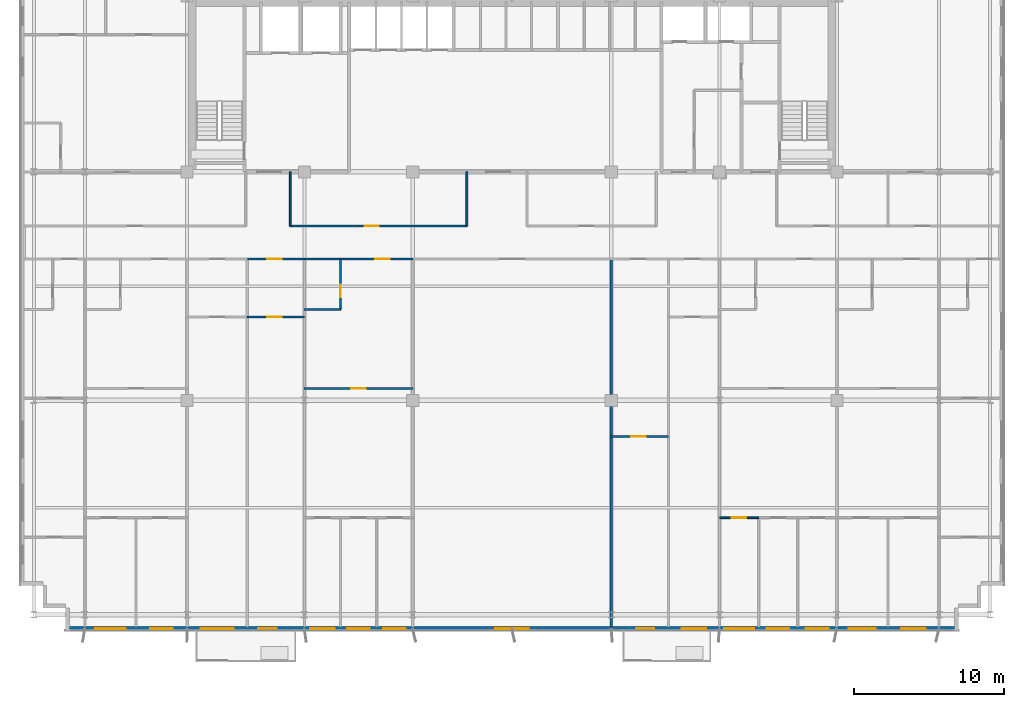
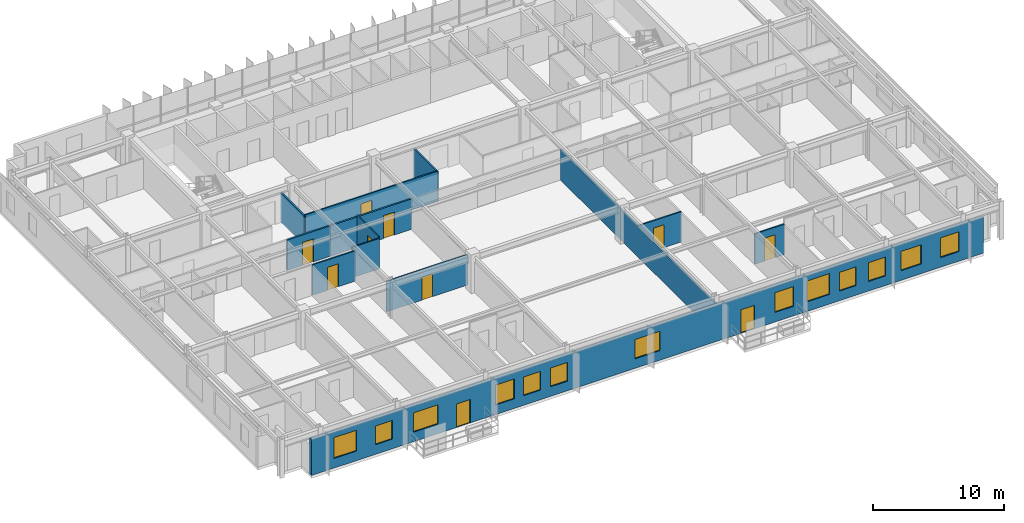
# One storey, part 15 of 22: 13 walls, 13 windows, 10 doors, 23 openings.
"""IFC4 building model written with IfcOpenShell, lengths in metres."""

from ifc_helpers import new_model, si_unit, direction, frame, frame_2d, origin, place, context, subcontext, project, spatial, rectangle, extrude, source, transform, mapped, material, layer, layer_set, type_object, element, fill, save


model = new_model("IFC4")

# Units and contexts
model_context = context("Model", 3, precision=1e-05, world=origin(), true_north=direction((0.0, 1.0)))
body_context = subcontext(model_context, "Body", "Model", "MODEL_VIEW")
ifc_project = project(units=[si_unit("LENGTHUNIT", "METRE"), si_unit("AREAUNIT", "SQUARE_METRE"), si_unit("VOLUMEUNIT", "CUBIC_METRE"), si_unit("PLANEANGLEUNIT", "RADIAN"), si_unit("MASSUNIT", "GRAM", prefix="KILO")], contexts=[model_context])

# Site, building, storey
site_placement = place(None, origin())
site = spatial("IfcSite", under=ifc_project, at=site_placement, CompositionType="ELEMENT")
building_placement = place(site_placement, origin())
building = spatial("IfcBuilding", under=site, at=building_placement, Name="Trelvane Seafront Commons", CompositionType="ELEMENT")
storey_placement = place(building_placement, frame((0.0, 0.0, 92.5)))
storey = spatial("IfcBuildingStorey", under=building, at=storey_placement, Name="L23", CompositionType="ELEMENT", Elevation=92.5)

# Wall, openings, doors, windows
ifc_material_1 = material(Name="Precast concrete C40/50", Category="concrete")
ifc_layer_1 = layer(ifc_material_1, 0.260009765625, Name="ARCH-WALL-EXT260")
ifc_layer_set_1 = layer_set([ifc_layer_1], Name="Precast concrete C40/50")
wall_type_1 = type_object("IfcWallType", Name="ARCH-WALL-EXT260", PredefinedType="SOLIDWALL", material=ifc_layer_set_1)
wall_1_placement = place(storey_placement, frame((66.89990234375, 3.030029296875, 0.0), z_axis=(0.0, 0.0, 1.0), x_axis=(-1.0, 0.0, 0.0)))
wall_1 = element("IfcWall", 1, at=wall_1_placement, inside=storey, type_object=wall_type_1, Name="EW-L23-00431", PredefinedType="SOLIDWALL", context=body_context, shape_type="SweptSolid", body=[
    extrude(rectangle(XDim=59.39990234375, YDim=0.260009765625, at=frame_2d((29.699951171875, 0.0))), origin(), (0.0, 0.0, 1.0), 3.340087890625),
])
opening_1_placement = place(wall_1_placement, frame((2.175048828125, 0.0, 0.89990234375)))
opening_1 = element("IfcOpeningElement", 2, at=opening_1_placement, cuts=wall_1, Name="Opening W07", PredefinedType="OPENING", context=body_context, shape_type="SweptSolid", body=[
    extrude(rectangle(XDim=1.64990234375, YDim=1.85009765625, at=frame_2d((0.824951171875, 0.925048828125))), frame((0.0, 0.139892578125, 0.0), z_axis=(0.0, -1.0, 0.0), x_axis=(1.0, 0.0, 0.0)), (0.0, 0.0, 1.0), 0.280029296875),
])
opening_2_placement = place(wall_1_placement, frame((5.5, 0.0, 0.89990234375)))
opening_2 = element("IfcOpeningElement", 3, at=opening_2_placement, cuts=wall_1, Name="Opening W01", PredefinedType="OPENING", context=body_context, shape_type="SweptSolid", body=[
    extrude(rectangle(XDim=1.800048828125, YDim=1.800048828125, at=frame_2d((0.89990234375, 0.89990234375))), frame((0.0, 0.139892578125, 0.0), z_axis=(0.0, -1.0, 0.0), x_axis=(1.0, 0.0, 0.0)), (0.0, 0.0, 1.0), 0.280029296875),
])
opening_3_placement = place(wall_1_placement, frame((8.64990234375, 0.0, 0.89990234375)))
opening_3 = element("IfcOpeningElement", 4, at=opening_3_placement, cuts=wall_1, Name="Opening W03", PredefinedType="OPENING", context=body_context, shape_type="SweptSolid", body=[
    extrude(rectangle(XDim=1.5, YDim=1.75, at=frame_2d((0.75, 0.875))), frame((0.0, 0.139892578125, 0.0), z_axis=(0.0, -1.0, 0.0), x_axis=(1.0, 0.0, 0.0)), (0.0, 0.0, 1.0), 0.280029296875),
])
opening_4_placement = place(wall_1_placement, frame((11.25, 0.0, 0.89990234375)))
opening_4 = element("IfcOpeningElement", 5, at=opening_4_placement, cuts=wall_1, Name="Opening W03", PredefinedType="OPENING", context=body_context, shape_type="SweptSolid", body=[
    extrude(rectangle(XDim=1.5, YDim=1.75, at=frame_2d((0.75, 0.875))), frame((0.0, 0.139892578125, 0.0), z_axis=(0.0, -1.0, 0.0), x_axis=(1.0, 0.0, 0.0)), (0.0, 0.0, 1.0), 0.280029296875),
])
opening_5_placement = place(wall_1_placement, frame((13.60009765625, 0.0, 0.89990234375)))
opening_5 = element("IfcOpeningElement", 6, at=opening_5_placement, cuts=wall_1, Name="Opening W06", PredefinedType="OPENING", context=body_context, shape_type="SweptSolid", body=[
    extrude(rectangle(XDim=2.0, YDim=1.949951171875, at=frame_2d((1.0, 0.97509765625))), frame((0.0, 0.139892578125, 0.0), z_axis=(0.0, -1.0, 0.0), x_axis=(1.0, 0.0, 0.0)), (0.0, 0.0, 1.0), 0.280029296875),
])
opening_6_placement = place(wall_1_placement, frame((16.77490234375, 0.0, 0.89990234375)))
opening_6 = element("IfcOpeningElement", 7, at=opening_6_placement, cuts=wall_1, Name="Opening W07", PredefinedType="OPENING", context=body_context, shape_type="SweptSolid", body=[
    extrude(rectangle(XDim=1.64990234375, YDim=1.85009765625, at=frame_2d((0.824951171875, 0.925048828125))), frame((0.0, 0.139892578125, 0.0), z_axis=(0.0, -1.0, 0.0), x_axis=(1.0, 0.0, 0.0)), (0.0, 0.0, 1.0), 0.280029296875),
])
opening_7_placement = place(wall_1_placement, frame((20.22705078125, 0.0, 0.0)))
opening_7 = element("IfcOpeningElement", 8, at=opening_7_placement, cuts=wall_1, Name="Opening BD-L23-55", PredefinedType="OPENING", context=body_context, shape_type="SweptSolid", body=[
    extrude(rectangle(XDim=1.199951171875, YDim=2.199951171875, at=frame_2d((0.60009765625, 1.10009765625))), frame((0.0, 0.139892578125, 0.0), z_axis=(0.0, -1.0, 0.0), x_axis=(1.0, 0.0, 0.0)), (0.0, 0.0, 1.0), 0.280029296875),
])
opening_8_placement = place(wall_1_placement, frame((28.60009765625, 0.0, 0.89990234375)))
opening_8 = element("IfcOpeningElement", 9, at=opening_8_placement, cuts=wall_1, Name="Opening W02", PredefinedType="OPENING", context=body_context, shape_type="SweptSolid", body=[
    extrude(rectangle(XDim=2.199951171875, YDim=1.800048828125, at=frame_2d((1.10009765625, 0.89990234375))), frame((0.0, 0.139892578125, 0.0), z_axis=(0.0, -1.0, 0.0), x_axis=(1.0, 0.0, 0.0)), (0.0, 0.0, 1.0), 0.280029296875),
])
opening_9_placement = place(wall_1_placement, frame((36.75, 0.0, 0.89990234375)))
opening_9 = element("IfcOpeningElement", 10, at=opening_9_placement, cuts=wall_1, Name="Opening W03", PredefinedType="OPENING", context=body_context, shape_type="SweptSolid", body=[
    extrude(rectangle(XDim=1.5, YDim=1.75, at=frame_2d((0.75, 0.875))), frame((0.0, 0.139892578125, 0.0), z_axis=(0.0, -1.0, 0.0), x_axis=(1.0, 0.0, 0.0)), (0.0, 0.0, 1.0), 0.280029296875),
])
opening_10_placement = place(wall_1_placement, frame((39.14990234375, 0.0, 0.89990234375)))
opening_10 = element("IfcOpeningElement", 11, at=opening_10_placement, cuts=wall_1, Name="Opening W03", PredefinedType="OPENING", context=body_context, shape_type="SweptSolid", body=[
    extrude(rectangle(XDim=1.5, YDim=1.75, at=frame_2d((0.75, 0.875))), frame((0.0, 0.139892578125, 0.0), z_axis=(0.0, -1.0, 0.0), x_axis=(1.0, 0.0, 0.0)), (0.0, 0.0, 1.0), 0.280029296875),
])
opening_11_placement = place(wall_1_placement, frame((41.47509765625, 0.0, 0.89990234375)))
opening_11 = element("IfcOpeningElement", 12, at=opening_11_placement, cuts=wall_1, Name="Opening W07", PredefinedType="OPENING", context=body_context, shape_type="SweptSolid", body=[
    extrude(rectangle(XDim=1.64990234375, YDim=1.85009765625, at=frame_2d((0.824951171875, 0.925048828125))), frame((0.0, 0.139892578125, 0.0), z_axis=(0.0, -1.0, 0.0), x_axis=(1.0, 0.0, 0.0)), (0.0, 0.0, 1.0), 0.280029296875),
])
opening_12_placement = place(wall_1_placement, frame((45.360107421875, 0.0, 0.0)))
opening_12 = element("IfcOpeningElement", 13, at=opening_12_placement, cuts=wall_1, Name="Opening BD-L23-56", PredefinedType="OPENING", context=body_context, shape_type="SweptSolid", body=[
    extrude(rectangle(XDim=1.199951171875, YDim=2.199951171875, at=frame_2d((0.60009765625, 1.10009765625))), frame((0.0, 0.139892578125, 0.0), z_axis=(0.0, -1.0, 0.0), x_axis=(1.0, 0.0, 0.0)), (0.0, 0.0, 1.0), 0.280029296875),
])
opening_13_placement = place(wall_1_placement, frame((48.199951171875, 0.0, 0.89990234375)))
opening_13 = element("IfcOpeningElement", 14, at=opening_13_placement, cuts=wall_1, Name="Opening W02", PredefinedType="OPENING", context=body_context, shape_type="SweptSolid", body=[
    extrude(rectangle(XDim=2.199951171875, YDim=1.800048828125, at=frame_2d((1.10009765625, 0.89990234375))), frame((0.0, 0.139892578125, 0.0), z_axis=(0.0, -1.0, 0.0), x_axis=(1.0, 0.0, 0.0)), (0.0, 0.0, 1.0), 0.280029296875),
])
opening_14_placement = place(wall_1_placement, frame((52.25, 0.0, 0.89990234375)))
opening_14 = element("IfcOpeningElement", 15, at=opening_14_placement, cuts=wall_1, Name="Opening W03", PredefinedType="OPENING", context=body_context, shape_type="SweptSolid", body=[
    extrude(rectangle(XDim=1.5, YDim=1.75, at=frame_2d((0.75, 0.875))), frame((0.0, 0.139892578125, 0.0), z_axis=(0.0, -1.0, 0.0), x_axis=(1.0, 0.0, 0.0)), (0.0, 0.0, 1.0), 0.280029296875),
])
opening_15_placement = place(wall_1_placement, frame((55.39990234375, 0.0, 0.89990234375)))
opening_15 = element("IfcOpeningElement", 16, at=opening_15_placement, cuts=wall_1, Name="Opening W06", PredefinedType="OPENING", context=body_context, shape_type="SweptSolid", body=[
    extrude(rectangle(XDim=2.0, YDim=1.949951171875, at=frame_2d((1.0, 0.97509765625))), frame((0.0, 0.139892578125, 0.0), z_axis=(0.0, -1.0, 0.0), x_axis=(1.0, 0.0, 0.0)), (0.0, 0.0, 1.0), 0.280029296875),
])
ifc_material_2 = material(Name="Powder-coated aluminium frame", Category="aluminium")
door_type_1 = type_object("IfcDoorType", Name="ARCH-DR-BAL1200", OperationType="NOTDEFINED", PredefinedType="DOOR", material=ifc_material_2)
shared_shape_1 = source(origin(), body_context, "Body", "SweptSolid", [
    extrude(rectangle(XDim=1.199951171875, YDim=2.199951171875, at=frame_2d((0.60009765625, 1.10009765625))), frame((0.0, 0.02490234375, 0.0), z_axis=(0.0, -1.0, 0.0), x_axis=(1.0, 0.0, 0.0)), (0.0, 0.0, 1.0), 0.050048828125),
])
door_1_placement = place(opening_7_placement, origin())
door_1 = element("IfcDoor", 17, at=door_1_placement, inside=storey, type_object=door_type_1, Name="L23 Balcony Terrace Access Door", OperationType="SINGLE_SWING_LEFT", OverallHeight=2.199951171875, OverallWidth=1.199951171875, PredefinedType="DOOR", context=body_context, shape_type="MappedRepresentation", body=[
    mapped(shared_shape_1, transform((0.0, 0.0, 0.0), x_axis=(1.0, 0.0, 0.0), y_axis=(0.0, 1.0, 0.0), z_axis=(0.0, 0.0, 1.0), scale=1.0)),
])
fill(opening_7, door_1)
door_2_placement = place(opening_12_placement, origin())
door_2 = element("IfcDoor", 18, at=door_2_placement, inside=storey, type_object=door_type_1, Name="L23 Balcony Terrace Access Door", OperationType="SINGLE_SWING_LEFT", OverallHeight=2.199951171875, OverallWidth=1.199951171875, PredefinedType="DOOR", context=body_context, shape_type="MappedRepresentation", body=[
    mapped(shared_shape_1, transform((0.0, 0.0, 0.0), x_axis=(1.0, 0.0, 0.0), y_axis=(0.0, 1.0, 0.0), z_axis=(0.0, 0.0, 1.0), scale=1.0)),
])
fill(opening_12, door_2)
ifc_material_3 = material(Name="Low-E coastal double glazing", Category="glass")
window_type_1 = type_object("IfcWindowType", Name="ARCH-WIN-W02", PartitioningType="SINGLE_PANEL", PredefinedType="WINDOW", material=ifc_material_3)
shared_shape_2 = source(origin(), body_context, "Body", "SweptSolid", [
    extrude(rectangle(XDim=2.199951171875, YDim=1.800048828125, at=frame_2d((1.10009765625, 0.89990234375))), frame((0.0, 0.030029296875, 0.0), z_axis=(0.0, -1.0, 0.0), x_axis=(1.0, 0.0, 0.0)), (0.0, 0.0, 1.0), 0.06005859375),
])
window_1_placement = place(opening_8_placement, origin())
window_1 = element("IfcWindow", 19, at=window_1_placement, inside=storey, type_object=window_type_1, Name="WIN-L23-00497", OverallHeight=1.800048828125, OverallWidth=2.199951171875, PartitioningType="SINGLE_PANEL", PredefinedType="WINDOW", context=body_context, shape_type="MappedRepresentation", body=[
    mapped(shared_shape_2, transform((0.0, 0.0, 0.0), x_axis=(1.0, 0.0, 0.0), y_axis=(0.0, 1.0, 0.0), z_axis=(0.0, 0.0, 1.0), scale=1.0)),
])
fill(opening_8, window_1)
window_2_placement = place(opening_13_placement, origin())
window_2 = element("IfcWindow", 20, at=window_2_placement, inside=storey, type_object=window_type_1, Name="WIN-L23-00501", OverallHeight=1.800048828125, OverallWidth=2.199951171875, PartitioningType="SINGLE_PANEL", PredefinedType="WINDOW", context=body_context, shape_type="MappedRepresentation", body=[
    mapped(shared_shape_2, transform((0.0, 0.0, 0.0), x_axis=(1.0, 0.0, 0.0), y_axis=(0.0, 1.0, 0.0), z_axis=(0.0, 0.0, 1.0), scale=1.0)),
])
fill(opening_13, window_2)
window_type_2 = type_object("IfcWindowType", Name="ARCH-WIN-W03", PartitioningType="SINGLE_PANEL", PredefinedType="WINDOW", material=ifc_material_3)
shared_shape_3 = source(origin(), body_context, "Body", "SweptSolid", [
    extrude(rectangle(XDim=1.5, YDim=1.75, at=frame_2d((0.75, 0.875))), frame((0.0, 0.030029296875, 0.0), z_axis=(0.0, -1.0, 0.0), x_axis=(1.0, 0.0, 0.0)), (0.0, 0.0, 1.0), 0.06005859375),
])
window_3_placement = place(opening_3_placement, origin())
window_3 = element("IfcWindow", 21, at=window_3_placement, inside=storey, type_object=window_type_2, Name="WIN-L23-00493", OverallHeight=1.75, OverallWidth=1.5, PartitioningType="SINGLE_PANEL", PredefinedType="WINDOW", context=body_context, shape_type="MappedRepresentation", body=[
    mapped(shared_shape_3, transform((0.0, 0.0, 0.0), x_axis=(1.0, 0.0, 0.0), y_axis=(0.0, 1.0, 0.0), z_axis=(0.0, 0.0, 1.0), scale=1.0)),
])
fill(opening_3, window_3)
window_4_placement = place(opening_4_placement, origin())
window_4 = element("IfcWindow", 22, at=window_4_placement, inside=storey, type_object=window_type_2, Name="WIN-L23-00494", OverallHeight=1.75, OverallWidth=1.5, PartitioningType="SINGLE_PANEL", PredefinedType="WINDOW", context=body_context, shape_type="MappedRepresentation", body=[
    mapped(shared_shape_3, transform((0.0, 0.0, 0.0), x_axis=(1.0, 0.0, 0.0), y_axis=(0.0, 1.0, 0.0), z_axis=(0.0, 0.0, 1.0), scale=1.0)),
])
fill(opening_4, window_4)
window_5_placement = place(opening_9_placement, origin())
window_5 = element("IfcWindow", 23, at=window_5_placement, inside=storey, type_object=window_type_2, Name="WIN-L23-00498", OverallHeight=1.75, OverallWidth=1.5, PartitioningType="SINGLE_PANEL", PredefinedType="WINDOW", context=body_context, shape_type="MappedRepresentation", body=[
    mapped(shared_shape_3, transform((0.0, 0.0, 0.0), x_axis=(1.0, 0.0, 0.0), y_axis=(0.0, 1.0, 0.0), z_axis=(0.0, 0.0, 1.0), scale=1.0)),
])
fill(opening_9, window_5)
window_6_placement = place(opening_10_placement, origin())
window_6 = element("IfcWindow", 24, at=window_6_placement, inside=storey, type_object=window_type_2, Name="WIN-L23-00499", OverallHeight=1.75, OverallWidth=1.5, PartitioningType="SINGLE_PANEL", PredefinedType="WINDOW", context=body_context, shape_type="MappedRepresentation", body=[
    mapped(shared_shape_3, transform((0.0, 0.0, 0.0), x_axis=(1.0, 0.0, 0.0), y_axis=(0.0, 1.0, 0.0), z_axis=(0.0, 0.0, 1.0), scale=1.0)),
])
fill(opening_10, window_6)
window_7_placement = place(opening_14_placement, origin())
window_7 = element("IfcWindow", 25, at=window_7_placement, inside=storey, type_object=window_type_2, Name="WIN-L23-00502", OverallHeight=1.75, OverallWidth=1.5, PartitioningType="SINGLE_PANEL", PredefinedType="WINDOW", context=body_context, shape_type="MappedRepresentation", body=[
    mapped(shared_shape_3, transform((0.0, 0.0, 0.0), x_axis=(1.0, 0.0, 0.0), y_axis=(0.0, 1.0, 0.0), z_axis=(0.0, 0.0, 1.0), scale=1.0)),
])
fill(opening_14, window_7)
window_type_3 = type_object("IfcWindowType", Name="ARCH-WIN-W06", PartitioningType="SINGLE_PANEL", PredefinedType="WINDOW", material=ifc_material_3)
shared_shape_4 = source(origin(), body_context, "Body", "SweptSolid", [
    extrude(rectangle(XDim=2.0, YDim=1.949951171875, at=frame_2d((1.0, 0.97509765625))), frame((0.0, 0.030029296875, 0.0), z_axis=(0.0, -1.0, 0.0), x_axis=(1.0, 0.0, 0.0)), (0.0, 0.0, 1.0), 0.06005859375),
])
window_8_placement = place(opening_5_placement, origin())
window_8 = element("IfcWindow", 26, at=window_8_placement, inside=storey, type_object=window_type_3, Name="WIN-L23-00495", OverallHeight=1.949951171875, OverallWidth=2.0, PartitioningType="SINGLE_PANEL", PredefinedType="WINDOW", context=body_context, shape_type="MappedRepresentation", body=[
    mapped(shared_shape_4, transform((0.0, 0.0, 0.0), x_axis=(1.0, 0.0, 0.0), y_axis=(0.0, 1.0, 0.0), z_axis=(0.0, 0.0, 1.0), scale=1.0)),
])
fill(opening_5, window_8)
window_9_placement = place(opening_15_placement, origin())
window_9 = element("IfcWindow", 27, at=window_9_placement, inside=storey, type_object=window_type_3, Name="WIN-L23-00503", OverallHeight=1.949951171875, OverallWidth=2.0, PartitioningType="SINGLE_PANEL", PredefinedType="WINDOW", context=body_context, shape_type="MappedRepresentation", body=[
    mapped(shared_shape_4, transform((0.0, 0.0, 0.0), x_axis=(1.0, 0.0, 0.0), y_axis=(0.0, 1.0, 0.0), z_axis=(0.0, 0.0, 1.0), scale=1.0)),
])
fill(opening_15, window_9)
window_type_4 = type_object("IfcWindowType", Name="ARCH-WIN-W01", PartitioningType="SINGLE_PANEL", PredefinedType="WINDOW", material=ifc_material_3)
shared_shape_5 = source(origin(), body_context, "Body", "SweptSolid", [
    extrude(rectangle(XDim=1.800048828125, YDim=1.800048828125, at=frame_2d((0.89990234375, 0.89990234375))), frame((0.0, 0.030029296875, 0.0), z_axis=(0.0, -1.0, 0.0), x_axis=(1.0, 0.0, 0.0)), (0.0, 0.0, 1.0), 0.06005859375),
])
window_10_placement = place(opening_2_placement, origin())
window_10 = element("IfcWindow", 28, at=window_10_placement, inside=storey, type_object=window_type_4, Name="WIN-L23-00492", OverallHeight=1.800048828125, OverallWidth=1.800048828125, PartitioningType="SINGLE_PANEL", PredefinedType="WINDOW", context=body_context, shape_type="MappedRepresentation", body=[
    mapped(shared_shape_5, transform((0.0, 0.0, 0.0), x_axis=(1.0, 0.0, 0.0), y_axis=(0.0, 1.0, 0.0), z_axis=(0.0, 0.0, 1.0), scale=1.0)),
])
fill(opening_2, window_10)
window_type_5 = type_object("IfcWindowType", Name="ARCH-WIN-W07", PartitioningType="SINGLE_PANEL", PredefinedType="WINDOW", material=ifc_material_3)
shared_shape_6 = source(origin(), body_context, "Body", "SweptSolid", [
    extrude(rectangle(XDim=1.64990234375, YDim=1.85009765625, at=frame_2d((0.824951171875, 0.925048828125))), frame((0.0, 0.030029296875, 0.0), z_axis=(0.0, -1.0, 0.0), x_axis=(1.0, 0.0, 0.0)), (0.0, 0.0, 1.0), 0.06005859375),
])
window_11_placement = place(opening_1_placement, origin())
window_11 = element("IfcWindow", 29, at=window_11_placement, inside=storey, type_object=window_type_5, Name="WIN-L23-00491", OverallHeight=1.85009765625, OverallWidth=1.64990234375, PartitioningType="SINGLE_PANEL", PredefinedType="WINDOW", context=body_context, shape_type="MappedRepresentation", body=[
    mapped(shared_shape_6, transform((0.0, 0.0, 0.0), x_axis=(1.0, 0.0, 0.0), y_axis=(0.0, 1.0, 0.0), z_axis=(0.0, 0.0, 1.0), scale=1.0)),
])
fill(opening_1, window_11)
window_12_placement = place(opening_6_placement, origin())
window_12 = element("IfcWindow", 30, at=window_12_placement, inside=storey, type_object=window_type_5, Name="WIN-L23-00496", OverallHeight=1.85009765625, OverallWidth=1.64990234375, PartitioningType="SINGLE_PANEL", PredefinedType="WINDOW", context=body_context, shape_type="MappedRepresentation", body=[
    mapped(shared_shape_6, transform((0.0, 0.0, 0.0), x_axis=(1.0, 0.0, 0.0), y_axis=(0.0, 1.0, 0.0), z_axis=(0.0, 0.0, 1.0), scale=1.0)),
])
fill(opening_6, window_12)
window_13_placement = place(opening_11_placement, origin())
window_13 = element("IfcWindow", 31, at=window_13_placement, inside=storey, type_object=window_type_5, Name="WIN-L23-00500", OverallHeight=1.85009765625, OverallWidth=1.64990234375, PartitioningType="SINGLE_PANEL", PredefinedType="WINDOW", context=body_context, shape_type="MappedRepresentation", body=[
    mapped(shared_shape_6, transform((0.0, 0.0, 0.0), x_axis=(1.0, 0.0, 0.0), y_axis=(0.0, 1.0, 0.0), z_axis=(0.0, 0.0, 1.0), scale=1.0)),
])
fill(opening_11, window_13)

# Wall, opening, door
ifc_material_4 = material(Name="Gypsum Drywall Acoustic Partition")
ifc_layer_2 = layer(ifc_material_4, 0.1201171875, Name="ARCH-WALL-PART120")
ifc_layer_set_2 = layer_set([ifc_layer_2], Name="Gypsum Drywall Acoustic Partition")
wall_type_2 = type_object("IfcWallType", Name="ARCH-WALL-PART120", PredefinedType="PARTITIONING", material=ifc_layer_set_2)
wall_2_placement = place(storey_placement, frame((22.449951171875, 29.800048828125, 0.0), z_axis=(0.0, 0.0, 1.0), x_axis=(1.0, 0.0, 0.0)))
wall_2 = element("IfcWall", 32, at=wall_2_placement, inside=storey, type_object=wall_type_2, Name="W-L23-CORR-N-M1-039", PredefinedType="PARTITIONING", context=body_context, shape_type="SweptSolid", body=[
    extrude(rectangle(XDim=11.75, YDim=0.1201171875, at=frame_2d((5.875, 0.0))), origin(), (0.0, 0.0, 1.0), 2.840087890625),
])
opening_16_placement = place(wall_2_placement, frame((4.944091796875, 0.0, 0.0)))
opening_16 = element("IfcOpeningElement", 33, at=opening_16_placement, cuts=wall_2, Name="Opening D-L23-18", PredefinedType="OPENING", context=body_context, shape_type="SweptSolid", body=[
    extrude(rectangle(XDim=0.949951171875, YDim=2.14990234375, at=frame_2d((0.47509765625, 1.074951171875))), frame((0.0, 0.070068359375, 0.0), z_axis=(0.0, -1.0, 0.0), x_axis=(1.0, 0.0, 0.0)), (0.0, 0.0, 1.0), 0.14013671875),
])
ifc_material_5 = material(Name="Acoustic timber door leaf", Category="wood")
door_type_2 = type_object("IfcDoorType", Name="ARCH-DR-INT950", OperationType="NOTDEFINED", PredefinedType="DOOR", material=ifc_material_5)
shared_shape_7 = source(origin(), body_context, "Body", "SweptSolid", [
    extrude(rectangle(XDim=0.949951171875, YDim=2.14990234375, at=frame_2d((0.47509765625, 1.074951171875))), frame((0.0, 0.02490234375, 0.0), z_axis=(0.0, -1.0, 0.0), x_axis=(1.0, 0.0, 0.0)), (0.0, 0.0, 1.0), 0.050048828125),
])
door_3_placement = place(opening_16_placement, origin())
door_3 = element("IfcDoor", 34, at=door_3_placement, inside=storey, type_object=door_type_2, Name="L23 Door 18", OperationType="SINGLE_SWING_RIGHT", OverallHeight=2.14990234375, OverallWidth=0.949951171875, PredefinedType="DOOR", context=body_context, shape_type="MappedRepresentation", body=[
    mapped(shared_shape_7, transform((0.0, 0.0, 0.0), x_axis=(1.0, 0.0, 0.0), y_axis=(0.0, 1.0, 0.0), z_axis=(0.0, 0.0, 1.0), scale=1.0)),
])
fill(opening_16, door_3)

# Walls
for number, where, z_axis, x_axis, name in (
    (35, (22.449951171875, 29.800048828125, 0.0), (0.0, 0.0, 1.0), (0.0, 1.0, 0.0), "W-L23-N-SPUR-W2-044"),
    (36, (34.199951171875, 29.800048828125, 0.0), (0.0, 0.0, 1.0), (0.0, 1.0, 0.0), "W-L23-N-SPUR-M1-045"),
):
    element("IfcWall", number, at=place(storey_placement, frame(where, z_axis=z_axis, x_axis=x_axis)), inside=storey, type_object=wall_type_2, Name=name, PredefinedType="PARTITIONING", context=body_context, shape_type="SweptSolid", body=[
        extrude(rectangle(XDim=3.599853515625, YDim=0.1201171875, at=frame_2d((1.7998046875, 0.0))), origin(), (0.0, 0.0, 1.0), 2.751953125),
    ])

# Wall, opening, door
wall_3_placement = place(storey_placement, frame((19.60009765625, 23.75, 0.0), z_axis=(0.0, 0.0, 1.0), x_axis=(1.0, 0.0, 0.0)))
wall_3 = element("IfcWall", 37, at=wall_3_placement, inside=storey, type_object=wall_type_2, Name="W-L23-U4-DIV-084", PredefinedType="PARTITIONING", context=body_context, shape_type="SweptSolid", body=[
    extrude(rectangle(XDim=3.7998046875, YDim=0.1201171875, at=frame_2d((1.89990234375, 0.0))), origin(), (0.0, 0.0, 1.0), 2.840087890625),
])
opening_17_placement = place(wall_3_placement, frame((1.330078125, 0.0, 0.0)))
opening_17 = element("IfcOpeningElement", 38, at=opening_17_placement, cuts=wall_3, Name="Opening D-L23-42", PredefinedType="OPENING", context=body_context, shape_type="SweptSolid", body=[
    extrude(rectangle(XDim=0.949951171875, YDim=2.14990234375, at=frame_2d((0.47509765625, 1.074951171875))), frame((0.0, 0.070068359375, 0.0), z_axis=(0.0, -1.0, 0.0), x_axis=(1.0, 0.0, 0.0)), (0.0, 0.0, 1.0), 0.14013671875),
])
door_4_placement = place(opening_17_placement, origin())
door_4 = element("IfcDoor", 39, at=door_4_placement, inside=storey, type_object=door_type_2, Name="L23 Door 42", OperationType="SINGLE_SWING_RIGHT", OverallHeight=2.14990234375, OverallWidth=0.949951171875, PredefinedType="DOOR", context=body_context, shape_type="MappedRepresentation", body=[
    mapped(shared_shape_7, transform((0.0, 0.0, 0.0), x_axis=(1.0, 0.0, 0.0), y_axis=(0.0, 1.0, 0.0), z_axis=(0.0, 0.0, 1.0), scale=1.0)),
])
fill(opening_17, door_4)

wall_4_placement = place(storey_placement, frame((23.39990234375, 19.0, 0.0), z_axis=(0.0, 0.0, 1.0), x_axis=(1.0, 0.0, 0.0)))
wall_4 = element("IfcWall", 40, at=wall_4_placement, inside=storey, type_object=wall_type_2, Name="W-L23-U5-KL-085", PredefinedType="PARTITIONING", context=body_context, shape_type="SweptSolid", body=[
    extrude(rectangle(XDim=7.2001953125, YDim=0.1201171875, at=frame_2d((3.60009765625, 0.0))), origin(), (0.0, 0.0, 1.0), 2.840087890625),
])
opening_18_placement = place(wall_4_placement, frame((3.125, 0.0, 0.0)))
opening_18 = element("IfcOpeningElement", 41, at=opening_18_placement, cuts=wall_4, Name="Opening D-L23-43", PredefinedType="OPENING", context=body_context, shape_type="SweptSolid", body=[
    extrude(rectangle(XDim=0.949951171875, YDim=2.14990234375, at=frame_2d((0.47509765625, 1.074951171875))), frame((0.0, 0.070068359375, 0.0), z_axis=(0.0, -1.0, 0.0), x_axis=(1.0, 0.0, 0.0)), (0.0, 0.0, 1.0), 0.14013671875),
])
door_5_placement = place(opening_18_placement, origin())
door_5 = element("IfcDoor", 42, at=door_5_placement, inside=storey, type_object=door_type_2, Name="L23 Door 43", OperationType="SINGLE_SWING_LEFT", OverallHeight=2.14990234375, OverallWidth=0.949951171875, PredefinedType="DOOR", context=body_context, shape_type="MappedRepresentation", body=[
    mapped(shared_shape_7, transform((0.0, 0.0, 0.0), x_axis=(1.0, 0.0, 0.0), y_axis=(0.0, 1.0, 0.0), z_axis=(0.0, 0.0, 1.0), scale=1.0)),
])
fill(opening_18, door_5)

wall_5_placement = place(storey_placement, frame((25.800048828125, 24.25, 0.0), z_axis=(0.0, 0.0, 1.0), x_axis=(0.0, 1.0, 0.0)))
wall_5 = element("IfcWall", 43, at=wall_5_placement, inside=storey, type_object=wall_type_2, Name="W-L23-U5-BE-086", PredefinedType="PARTITIONING", context=body_context, shape_type="SweptSolid", body=[
    extrude(rectangle(XDim=3.35009765625, YDim=0.1201171875, at=frame_2d((1.675048828125, 0.0))), origin(), (0.0, 0.0, 1.0), 2.989990234375),
])
opening_19_placement = place(wall_5_placement, frame((0.800048828125, 0.0, 0.0)))
opening_19 = element("IfcOpeningElement", 44, at=opening_19_placement, cuts=wall_5, Name="Opening D-L23-44", PredefinedType="OPENING", context=body_context, shape_type="SweptSolid", body=[
    extrude(rectangle(XDim=0.85009765625, YDim=2.10009765625, at=frame_2d((0.425048828125, 1.050048828125))), frame((0.0, 0.070068359375, 0.0), z_axis=(0.0, -1.0, 0.0), x_axis=(1.0, 0.0, 0.0)), (0.0, 0.0, 1.0), 0.14013671875),
])
door_type_3 = type_object("IfcDoorType", Name="ARCH-DR-INT850", OperationType="NOTDEFINED", PredefinedType="DOOR", material=ifc_material_5)
shared_shape_8 = source(origin(), body_context, "Body", "SweptSolid", [
    extrude(rectangle(XDim=0.85009765625, YDim=2.10009765625, at=frame_2d((0.425048828125, 1.050048828125))), frame((0.0, 0.02490234375, 0.0), z_axis=(0.0, -1.0, 0.0), x_axis=(1.0, 0.0, 0.0)), (0.0, 0.0, 1.0), 0.050048828125),
])
door_6_placement = place(opening_19_placement, origin())
door_6 = element("IfcDoor", 45, at=door_6_placement, inside=storey, type_object=door_type_3, Name="L23 Door 44", OperationType="SINGLE_SWING_RIGHT", OverallHeight=2.10009765625, OverallWidth=0.85009765625, PredefinedType="DOOR", context=body_context, shape_type="MappedRepresentation", body=[
    mapped(shared_shape_8, transform((0.0, 0.0, 0.0), x_axis=(1.0, 0.0, 0.0), y_axis=(0.0, 1.0, 0.0), z_axis=(0.0, 0.0, 1.0), scale=1.0)),
])
fill(opening_19, door_6)

# Wall
wall_6_placement = place(storey_placement, frame((23.39990234375, 24.25, 0.0), z_axis=(0.0, 0.0, 1.0), x_axis=(1.0, 0.0, 0.0)))
element("IfcWall", 46, at=wall_6_placement, inside=storey, type_object=wall_type_2, Name="W-L23-U5-BS-087", PredefinedType="PARTITIONING", context=body_context, shape_type="SweptSolid", body=[
    extrude(rectangle(XDim=2.400146484375, YDim=0.1201171875, at=frame_2d((1.2001953125, 0.0))), origin(), (0.0, 0.0, 1.0), 2.840087890625),
])

# Wall, opening, door
wall_7_placement = place(storey_placement, frame((43.800048828125, 15.800048828125, 0.0), z_axis=(0.0, 0.0, 1.0), x_axis=(1.0, 0.0, 0.0)))
wall_7 = element("IfcWall", 47, at=wall_7_placement, inside=storey, type_object=wall_type_2, Name="W-L23-U7-DIV-096", PredefinedType="PARTITIONING", context=body_context, shape_type="SweptSolid", body=[
    extrude(rectangle(XDim=3.800048828125, YDim=0.1201171875, at=frame_2d((1.89990234375, 0.0))), origin(), (0.0, 0.0, 1.0), 2.840087890625),
])
opening_20_placement = place(wall_7_placement, frame((1.330078125, 0.0, 0.0)))
opening_20 = element("IfcOpeningElement", 48, at=opening_20_placement, cuts=wall_7, Name="Opening D-L23-51", PredefinedType="OPENING", context=body_context, shape_type="SweptSolid", body=[
    extrude(rectangle(XDim=0.949951171875, YDim=2.14990234375, at=frame_2d((0.47509765625, 1.074951171875))), frame((0.0, 0.070068359375, 0.0), z_axis=(0.0, -1.0, 0.0), x_axis=(1.0, 0.0, 0.0)), (0.0, 0.0, 1.0), 0.14013671875),
])
door_7_placement = place(opening_20_placement, origin())
door_7 = element("IfcDoor", 49, at=door_7_placement, inside=storey, type_object=door_type_2, Name="L23 Door 51", OperationType="SINGLE_SWING_LEFT", OverallHeight=2.14990234375, OverallWidth=0.949951171875, PredefinedType="DOOR", context=body_context, shape_type="MappedRepresentation", body=[
    mapped(shared_shape_7, transform((0.0, 0.0, 0.0), x_axis=(1.0, 0.0, 0.0), y_axis=(0.0, 1.0, 0.0), z_axis=(0.0, 0.0, 1.0), scale=1.0)),
])
fill(opening_20, door_7)

wall_8_placement = place(storey_placement, frame((51.0, 10.39990234375, 0.0), z_axis=(0.0, 0.0, 1.0), x_axis=(1.0, 0.0, 0.0)))
wall_8 = element("IfcWall", 50, at=wall_8_placement, inside=storey, type_object=wall_type_2, Name="W-L23-U9-YM-1-103", PredefinedType="PARTITIONING", context=body_context, shape_type="SweptSolid", body=[
    extrude(rectangle(XDim=2.60009765625, YDim=0.1201171875, at=frame_2d((1.300048828125, 0.0))), origin(), (0.0, 0.0, 1.0), 2.840087890625),
])
opening_21_placement = place(wall_8_placement, frame((0.824951171875, 0.0, 0.0)))
opening_21 = element("IfcOpeningElement", 51, at=opening_21_placement, cuts=wall_8, Name="Opening D-L23-57", PredefinedType="OPENING", context=body_context, shape_type="SweptSolid", body=[
    extrude(rectangle(XDim=0.949951171875, YDim=2.14990234375, at=frame_2d((0.47509765625, 1.074951171875))), frame((0.0, 0.070068359375, 0.0), z_axis=(0.0, -1.0, 0.0), x_axis=(1.0, 0.0, 0.0)), (0.0, 0.0, 1.0), 0.14013671875),
])
door_8_placement = place(opening_21_placement, origin())
door_8 = element("IfcDoor", 52, at=door_8_placement, inside=storey, type_object=door_type_2, Name="L23 Door 57", OperationType="SINGLE_SWING_LEFT", OverallHeight=2.14990234375, OverallWidth=0.949951171875, PredefinedType="DOOR", context=body_context, shape_type="MappedRepresentation", body=[
    mapped(shared_shape_7, transform((0.0, 0.0, 0.0), x_axis=(1.0, 0.0, 0.0), y_axis=(0.0, 1.0, 0.0), z_axis=(0.0, 0.0, 1.0), scale=1.0)),
])
fill(opening_21, door_8)

# Wall
ifc_layer_3 = layer(ifc_material_4, 0.14990234375, Name="ARCH-WALL-PART150")
ifc_layer_set_3 = layer_set([ifc_layer_3], Name="Gypsum Drywall Acoustic Partition")
wall_type_3 = type_object("IfcWallType", Name="ARCH-WALL-PART150", PredefinedType="PARTITIONING", material=ifc_layer_set_3)
wall_9_placement = place(storey_placement, frame((43.800048828125, 3.14501953125, 0.0), z_axis=(0.0, 0.0, 1.0), x_axis=(0.0, 1.0, 0.0)))
element("IfcWall", 53, at=wall_9_placement, inside=storey, type_object=wall_type_3, Name="W-L23-PW-6-064", PredefinedType="PARTITIONING", context=body_context, shape_type="SweptSolid", body=[
    extrude(rectangle(XDim=24.455078125, YDim=0.14990234375, at=frame_2d((12.2275390625, 0.0))), origin(), (0.0, 0.0, 1.0), 2.840087890625),
])

# Wall, opening, door
wall_10_placement = place(storey_placement, frame((19.60009765625, 27.60009765625, 0.0), z_axis=(0.0, 0.0, 1.0), x_axis=(1.0, 0.0, 0.0)))
wall_10 = element("IfcWall", 54, at=wall_10_placement, inside=storey, type_object=wall_type_3, Name="W-L23-CS-BAY-4-083", PredefinedType="PARTITIONING", context=body_context, shape_type="SweptSolid", body=[
    extrude(rectangle(XDim=3.7998046875, YDim=0.14990234375, at=frame_2d((1.89990234375, 0.0))), origin(), (0.0, 0.0, 1.0), 2.840087890625),
])
opening_22_placement = place(wall_10_placement, frame((1.330078125, 0.0, 0.0)))
opening_22 = element("IfcOpeningElement", 55, at=opening_22_placement, cuts=wall_10, Name="Opening FD-L23-41", PredefinedType="OPENING", context=body_context, shape_type="SweptSolid", body=[
    extrude(rectangle(XDim=0.949951171875, YDim=2.14990234375, at=frame_2d((0.47509765625, 1.074951171875))), frame((0.0, 0.0849609375, 0.0), z_axis=(0.0, -1.0, 0.0), x_axis=(1.0, 0.0, 0.0)), (0.0, 0.0, 1.0), 0.169921875),
])
door_type_4 = type_object("IfcDoorType", Name="ARCH-DR-FD60-950", OperationType="NOTDEFINED", PredefinedType="DOOR", material=ifc_material_2)
door_9_placement = place(opening_22_placement, origin())
door_9 = element("IfcDoor", 56, at=door_9_placement, inside=storey, type_object=door_type_4, Name="L23 Bay 04 Entrance Door", OperationType="SINGLE_SWING_LEFT", OverallHeight=2.14990234375, OverallWidth=0.949951171875, PredefinedType="DOOR", context=body_context, shape_type="MappedRepresentation", body=[
    mapped(shared_shape_7, transform((0.0, 0.0, 0.0), x_axis=(1.0, 0.0, 0.0), y_axis=(0.0, 1.0, 0.0), z_axis=(0.0, 0.0, 1.0), scale=1.0)),
])
fill(opening_22, door_9)

wall_11_placement = place(storey_placement, frame((23.39990234375, 27.60009765625, 0.0), z_axis=(0.0, 0.0, 1.0), x_axis=(1.0, 0.0, 0.0)))
wall_11 = element("IfcWall", 57, at=wall_11_placement, inside=storey, type_object=wall_type_3, Name="W-L23-CS-BAY-5-088", PredefinedType="PARTITIONING", context=body_context, shape_type="SweptSolid", body=[
    extrude(rectangle(XDim=7.2001953125, YDim=0.14990234375, at=frame_2d((3.60009765625, 0.0))), origin(), (0.0, 0.0, 1.0), 2.840087890625),
])
opening_23_placement = place(wall_11_placement, frame((4.7060546875, 0.0, 0.0)))
opening_23 = element("IfcOpeningElement", 58, at=opening_23_placement, cuts=wall_11, Name="Opening FD-L23-45", PredefinedType="OPENING", context=body_context, shape_type="SweptSolid", body=[
    extrude(rectangle(XDim=0.949951171875, YDim=2.14990234375, at=frame_2d((0.47509765625, 1.074951171875))), frame((0.0, 0.0849609375, 0.0), z_axis=(0.0, -1.0, 0.0), x_axis=(1.0, 0.0, 0.0)), (0.0, 0.0, 1.0), 0.169921875),
])
door_10_placement = place(opening_23_placement, origin())
door_10 = element("IfcDoor", 59, at=door_10_placement, inside=storey, type_object=door_type_4, Name="L23 Unit 05 Entrance Door", OperationType="SINGLE_SWING_LEFT", OverallHeight=2.14990234375, OverallWidth=0.949951171875, PredefinedType="DOOR", context=body_context, shape_type="MappedRepresentation", body=[
    mapped(shared_shape_7, transform((0.0, 0.0, 0.0), x_axis=(1.0, 0.0, 0.0), y_axis=(0.0, 1.0, 0.0), z_axis=(0.0, 0.0, 1.0), scale=1.0)),
])
fill(opening_23, door_10)

save(model, "model.ifc")
